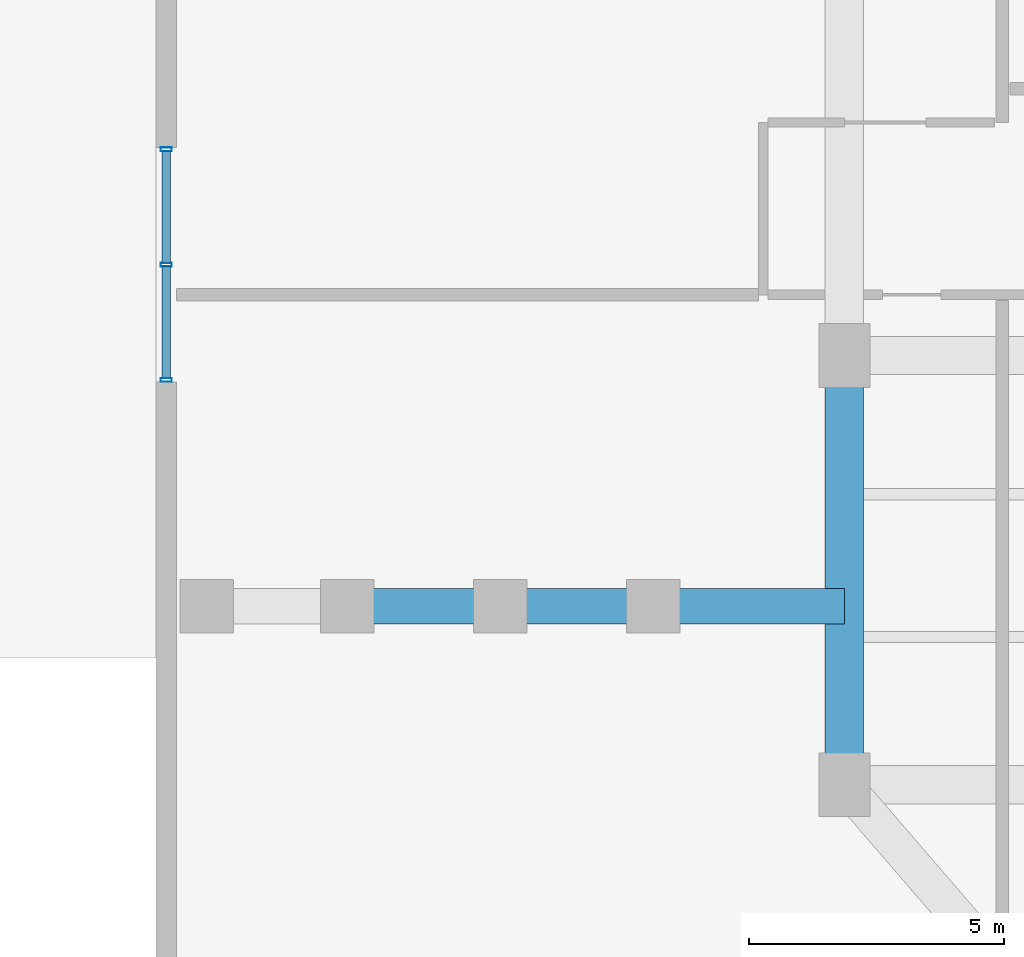
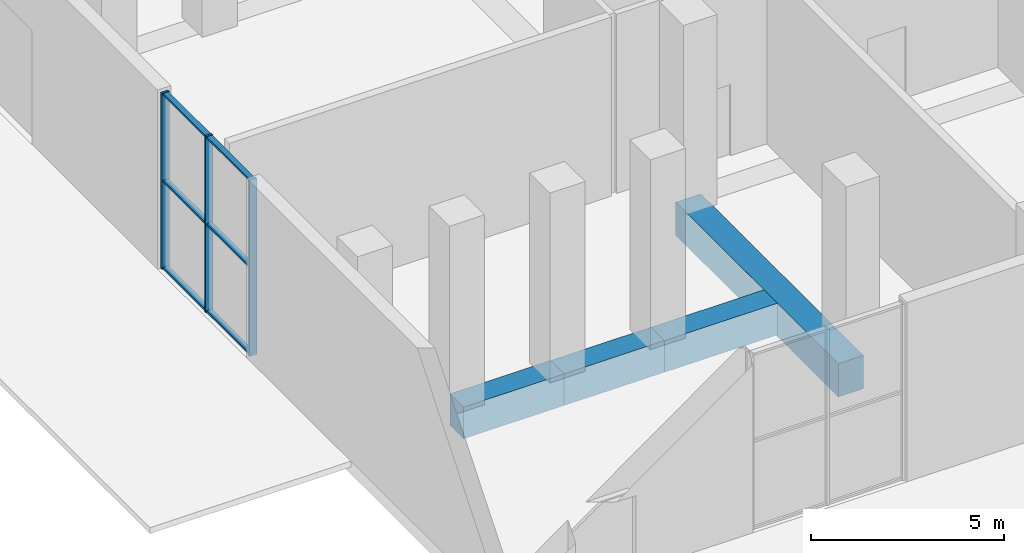
# One storey, part 6 of 25: 9 members, 4 beams, 1 element without a shape of its own.
"""IFC4 building model written with IfcOpenShell, lengths in metres."""

import ifcopenshell
import ifcopenshell.guid

model = None  # the IFC model being written
_history = None  # IfcOwnerHistory: only IFC2X3 demands one
_inside = {}  # id of a spatial element -> (the spatial element, [elements in it])
_under = {}  # id of a project, library or spatial element -> (it, [spatial elements below it])
_declared = {}  # id of a project -> (the project, [libraries it declares])
_typed = {}  # id of a type object -> (the type object, [elements of that type])
_made_of = {}  # id of a material, layer set ... -> (it, [elements and type objects made of it])


def new_model(schema):
    """Start an empty IFC model of exactly this schema.

    Asked for "IFC4X3", IfcOpenShell would pick the latest addendum, in which some entities
    have other attributes; the version numbers below select the first issue.
    IFC2X3 requires an IfcOwnerHistory on every rooted entity: one is made here for all.
    """
    global model, _history
    if schema == "IFC4X3":
        model = ifcopenshell.file(schema_version=(4, 3, 0, 0))
    else:
        model = ifcopenshell.file(schema=schema)
    _inside.clear()
    _under.clear()
    _declared.clear()
    _typed.clear()
    _made_of.clear()
    _history = None
    if model.schema == "IFC2X3":
        org = make("IfcOrganization", Name="unknown")
        user = make(
            "IfcPersonAndOrganization",
            ThePerson=make("IfcPerson", FamilyName="unknown"),
            TheOrganization=org,
        )
        app = make(
            "IfcApplication",
            ApplicationDeveloper=org,
            Version="unknown",
            ApplicationFullName="unknown",
            ApplicationIdentifier="unknown",
        )
        _history = make(
            "IfcOwnerHistory",
            OwningUser=user,
            OwningApplication=app,
            ChangeAction="ADDED",
            CreationDate=0,
        )
    return model


def make(cls, **values):
    """One entity of the class cls with the attributes given. An attribute that is None is left unset."""
    return model.create_entity(
        cls, **{name: value for name, value in values.items() if value is not None}
    )


def rooted(cls, **values):
    """An entity with a GlobalId (a new one), such as an element, a storey or a relation."""
    return make(cls, GlobalId=ifcopenshell.guid.new(), OwnerHistory=_history, **values)


def si_unit(unit_type, name, prefix=None):
    """IfcSIUnit, for example si_unit("LENGTHUNIT", "METRE", prefix="MILLI")."""
    return make("IfcSIUnit", UnitType=unit_type, Prefix=prefix, Name=name)


def assignment(units):
    """IfcUnitAssignment: the units of a project."""
    return None if units is None else make("IfcUnitAssignment", Units=units)


def point(xyz):
    """IfcCartesianPoint."""
    return None if xyz is None else make("IfcCartesianPoint", Coordinates=xyz)


def direction(xyz):
    """IfcDirection."""
    return None if xyz is None else make("IfcDirection", DirectionRatios=xyz)


def frame(location, z_axis=None, x_axis=None):
    """IfcAxis2Placement3D, a coordinate frame: its origin and axes. An axis left out is left unset."""
    return make(
        "IfcAxis2Placement3D",
        Location=point(location),
        Axis=direction(z_axis),
        RefDirection=direction(x_axis),
    )


def frame_2d(location, x_axis=None):
    """IfcAxis2Placement2D, a coordinate frame in the plane: its origin and x axis."""
    return make(
        "IfcAxis2Placement2D", Location=point(location), RefDirection=direction(x_axis)
    )


def origin():
    """The frame at (0, 0, 0) with its axes left unset."""
    return frame((0.0, 0.0, 0.0))


def origin_2d():
    """The frame at (0, 0) in the plane with its x axis left unset."""
    return frame_2d((0.0, 0.0))


def place(relative_to, where):
    """IfcLocalPlacement: puts the frame where relative to a parent placement (None: the world)."""
    return make(
        "IfcLocalPlacement", PlacementRelTo=relative_to, RelativePlacement=where
    )


def context(
    kind, dimensions, precision=None, world=None, true_north=None, identifier=None
):
    """IfcGeometricRepresentationContext, for example the 3D "Model" context."""
    return make(
        "IfcGeometricRepresentationContext",
        ContextIdentifier=identifier,
        ContextType=kind,
        CoordinateSpaceDimension=dimensions,
        Precision=precision,
        WorldCoordinateSystem=world,
        TrueNorth=true_north,
    )


def subcontext(parent, identifier, kind, view, scale=None):
    """IfcGeometricRepresentationSubContext, for example "Body" below "Model"."""
    return make(
        "IfcGeometricRepresentationSubContext",
        ContextIdentifier=identifier,
        ContextType=kind,
        ParentContext=parent,
        TargetScale=scale,
        TargetView=view,
    )


def project(units=None, contexts=None):
    """IfcProject with its units and contexts."""
    return rooted(
        "IfcProject",
        Name="project",
        RepresentationContexts=contexts,
        UnitsInContext=assignment(units),
    )


def spatial(cls, under=None, at=None, **own):
    """A site, building, storey or space (cls), placed at a placement, below another one or the project."""
    s = rooted(cls, ObjectPlacement=at, **own)
    if under is not None:
        _under.setdefault(under.id(), (under, []))[1].append(s)
    return s


def profile(cls, at=None, kind="AREA", **sizes):
    """A parametric profile (cls). Its sizes go by their IFC names, for example OverallWidth=200.0."""
    return make(cls, ProfileType=kind, Position=at, **sizes)


def rectangle(**sizes):
    """IfcRectangleProfileDef."""
    return profile("IfcRectangleProfileDef", **sizes)


def hollow_rectangle(**sizes):
    """IfcRectangleHollowProfileDef."""
    return profile("IfcRectangleHollowProfileDef", **sizes)


def extrude(swept, where, along, depth):
    """IfcExtrudedAreaSolid: the profile swept, set in the frame where, extruded along a direction by depth."""
    return make(
        "IfcExtrudedAreaSolid",
        SweptArea=swept,
        Position=where,
        ExtrudedDirection=direction(along),
        Depth=depth,
    )


def shape(context_of_items, identifier, shape_type, items):
    """IfcShapeRepresentation: the items that make up one representation, for example the "Body"."""
    return make(
        "IfcShapeRepresentation",
        ContextOfItems=context_of_items,
        RepresentationIdentifier=identifier,
        RepresentationType=shape_type,
        Items=items,
    )


def source(mapping_origin, context_of_items, identifier, shape_type, items):
    """IfcRepresentationMap: a shape defined once, which mapped items show again and again."""
    return make(
        "IfcRepresentationMap",
        MappingOrigin=mapping_origin,
        MappedRepresentation=shape(context_of_items, identifier, shape_type, items),
    )


def transform(
    local_origin,
    x_axis=None,
    y_axis=None,
    z_axis=None,
    scale=None,
    scale2=None,
    scale3=None,
    uniform=True,
):
    """IfcCartesianTransformationOperator3D, or its non-uniform kind. x_axis, y_axis, z_axis: its Axis1, 2, 3."""
    if uniform:
        return make(
            "IfcCartesianTransformationOperator3D",
            Axis1=direction(x_axis),
            Axis2=direction(y_axis),
            LocalOrigin=point(local_origin),
            Scale=scale,
            Axis3=direction(z_axis),
        )
    return make(
        "IfcCartesianTransformationOperator3DnonUniform",
        Axis1=direction(x_axis),
        Axis2=direction(y_axis),
        LocalOrigin=point(local_origin),
        Scale=scale,
        Axis3=direction(z_axis),
        Scale2=scale2,
        Scale3=scale3,
    )


def mapped(mapping_source, mapping_target):
    """IfcMappedItem: shows the shape of a source again, moved by a transform."""
    return make(
        "IfcMappedItem", MappingSource=mapping_source, MappingTarget=mapping_target
    )


def material(Name=None, Category=None):
    """IfcMaterial."""
    return make("IfcMaterial", Name=Name, Category=Category)


def layer(
    of_material, thickness, ventilated=None, Name=None, Category=None, Priority=None
):
    """IfcMaterialLayer: one layer of a wall or slab, of a material (None: an air gap)."""
    return make(
        "IfcMaterialLayer",
        Material=of_material,
        LayerThickness=thickness,
        IsVentilated=ventilated,
        Name=Name,
        Category=Category,
        Priority=Priority,
    )


def layer_set(layers, Name=None):
    """IfcMaterialLayerSet."""
    return make("IfcMaterialLayerSet", MaterialLayers=layers, LayerSetName=Name)


def material_profile(
    of_material, cross_section, Name=None, Category=None, Priority=None
):
    """IfcMaterialProfile: a cross section and its material."""
    return make(
        "IfcMaterialProfile",
        Name=Name,
        Material=of_material,
        Profile=cross_section,
        Priority=Priority,
        Category=Category,
    )


def profile_set(profiles, Name=None, composite=None):
    """IfcMaterialProfileSet."""
    return make(
        "IfcMaterialProfileSet",
        Name=Name,
        MaterialProfiles=profiles,
        CompositeProfile=composite,
    )


def made_of(thing, what):
    """Note that an element or type object is made of a material, layer set ...; save() writes the relation."""
    if what is not None:
        _made_of.setdefault(what.id(), (what, []))[1].append(thing)
    return thing


def type_object(cls, material=None, **own):
    """A type object (cls), such as IfcWallType, which elements share."""
    return made_of(rooted(cls, **own), material)


def element(
    cls,
    number,
    at=None,
    inside=None,
    cuts=None,
    type_object=None,
    material=None,
    context=None,
    identifier="Body",
    shape_type=None,
    held_by="IfcProductDefinitionShape",
    body=None,
    shapes=None,
    **own,
):
    """One element of the class cls, such as IfcWall. Its Tag is "e" and its number.

    at: its placement. inside: the storey or other place that contains it. cuts: it is an
    opening in that element (IfcRelVoidsElement). A single representation is given by context,
    identifier, shape_type and body (its items); several are given by shapes. held_by: the class
    of the entity that holds the representations. save() writes the other relations.
    """
    e = rooted(cls, Tag="e%d" % number, ObjectPlacement=at, **own)
    if body is not None:
        shapes = [shape(context, identifier, shape_type, body)]
    if shapes is not None:
        e.Representation = make(held_by, Representations=shapes)
    if inside is not None:
        _inside.setdefault(inside.id(), (inside, []))[1].append(e)
    if cuts is not None:
        rooted(
            "IfcRelVoidsElement", RelatingBuildingElement=cuts, RelatedOpeningElement=e
        )
    if type_object is not None:
        _typed.setdefault(type_object.id(), (type_object, []))[1].append(e)
    return made_of(e, material)


def aggregate(whole, parts):
    """IfcRelAggregates: a whole, such as a stair, and the parts it consists of."""
    return rooted("IfcRelAggregates", RelatingObject=whole, RelatedObjects=parts)


def save(model, path):
    """Write the relations noted so far, then the file.

    IfcRelAggregates (storeys below a building ...), IfcRelContainedInSpatialStructure (elements
    in a storey), IfcRelDefinesByType, IfcRelAssociatesMaterial and IfcRelDeclares: one each for
    every whole, place, type object, material and project.
    """
    for whole, parts in _under.values():
        aggregate(whole, parts)
    for where, things in _inside.values():
        rooted(
            "IfcRelContainedInSpatialStructure",
            RelatedElements=things,
            RelatingStructure=where,
        )
    for kind, things in _typed.values():
        rooted("IfcRelDefinesByType", RelatedObjects=things, RelatingType=kind)
    for what, things in _made_of.values():
        rooted("IfcRelAssociatesMaterial", RelatedObjects=things, RelatingMaterial=what)
    for by, libraries in _declared.values():
        rooted("IfcRelDeclares", RelatingContext=by, RelatedDefinitions=libraries)
    model.write(path)


model = new_model("IFC4")

# Units and contexts
model_context = context("Model", 3, precision=1e-05, world=origin(), true_north=direction((0.0, 1.0)))
body_context = subcontext(model_context, "Body", "Model", "MODEL_VIEW")
ifc_project = project(units=[si_unit("LENGTHUNIT", "METRE"), si_unit("AREAUNIT", "SQUARE_METRE"), si_unit("VOLUMEUNIT", "CUBIC_METRE"), si_unit("PLANEANGLEUNIT", "RADIAN"), si_unit("MASSUNIT", "GRAM", prefix="KILO"), si_unit("THERMODYNAMICTEMPERATUREUNIT", "KELVIN")], contexts=[model_context])

# Site, building, storey
site_placement = place(None, origin())
site = spatial("IfcSite", under=ifc_project, at=site_placement, CompositionType="ELEMENT")
building_placement = place(site_placement, origin())
building = spatial("IfcBuilding", under=site, at=building_placement, Name="Kosmvard Interchange Tower", CompositionType="ELEMENT")
storey_placement = place(building_placement, origin())
storey = spatial("IfcBuildingStorey", under=building, at=storey_placement, Name="L00", CompositionType="ELEMENT", Elevation=0.0)

# Beams
ifc_material_1 = material(Name="Concrete C60/75", Category="concrete")
ifc_material_profile_1 = material_profile(ifc_material_1, rectangle(XDim=0.75, YDim=1.050048828125, at=origin_2d()), Name="RCG 750x1050")
ifc_profile_set_1 = profile_set([ifc_material_profile_1], Name="Concrete C60/75")
beam_type_1 = type_object("IfcBeamType", Name="Concourse Mid-Span RC Girder 750x1050 C60/75", PredefinedType="BEAM", material=ifc_profile_set_1)
shared_shape_1 = source(origin(), body_context, "Body", "SweptSolid", [
    extrude(rectangle(XDim=0.75, YDim=1.050048828125, at=origin_2d()), origin(), (0.0, 0.0, 1.0), 8.4189453125),
])
beam_1_placement = place(storey_placement, frame((-28.5, -21.5, -0.52490234375), z_axis=(0.0, 1.0, 0.0), x_axis=(-1.0, 0.0, 0.0)))
element("IfcBeam", 1, at=beam_1_placement, inside=storey, type_object=beam_type_1, Name="BM-L00-PG-W1", PredefinedType="BEAM", context=body_context, shape_type="MappedRepresentation", body=[
    mapped(shared_shape_1, transform((0.0, 0.0, 0.0), scale=1.0)),
])
ifc_material_profile_2 = material_profile(ifc_material_1, rectangle(XDim=0.699951171875, YDim=1.0, at=origin_2d()), Name="RCG 700x1000")
ifc_profile_set_2 = profile_set([ifc_material_profile_2], Name="Concrete C60/75")
beam_type_2 = type_object("IfcBeamType", Name="Concourse Primary RC Girder 700x1000 C60/75", PredefinedType="BEAM", material=ifc_profile_set_2)
shared_shape_2 = source(origin(), body_context, "Body", "SweptSolid", [
    extrude(rectangle(XDim=0.699951171875, YDim=1.0, at=origin_2d()), origin(), (0.0, 0.0, 1.0), 3.75),
])
beam_2_placement = place(storey_placement, frame((-28.5, -18.0, -0.5), z_axis=(-1.0, 0.0, 0.0), x_axis=(0.0, -1.0, 0.0)))
element("IfcBeam", 2, at=beam_2_placement, inside=storey, type_object=beam_type_2, Name="BM-L00-PG-TCW11", PredefinedType="BEAM", context=body_context, shape_type="MappedRepresentation", body=[
    mapped(shared_shape_2, transform((0.0, 0.0, 0.0), scale=1.0)),
])
shared_shape_3 = source(origin(), body_context, "Body", "SweptSolid", [
    extrude(rectangle(XDim=0.699951171875, YDim=1.0, at=origin_2d()), origin(), (0.0, 0.0, 1.0), 3.0),
])
for number, where, z_axis, x_axis, name in (
    (3, (-32.25, -18.0, -0.5), (-1.0, 0.0, 0.0), (0.0, -1.0, 0.0), "BM-L00-PG-TCW12"),
    (4, (-35.25, -18.0, -0.5), (-1.0, 0.0, 0.0), (0.0, -1.0, 0.0), "BM-L00-PG-TCW13"),
):
    element("IfcBeam", number, at=place(storey_placement, frame(where, z_axis=z_axis, x_axis=x_axis)), inside=storey, type_object=beam_type_2, Name=name, PredefinedType="BEAM", context=body_context, shape_type="MappedRepresentation", body=[
        mapped(shared_shape_3, transform((0.0, 0.0, 0.0), scale=1.0)),
    ])

# Curtain wall, members
ifc_material_2 = material(Name="Architectural anodised aluminium", Category="aluminium")
ifc_layer = layer(ifc_material_2, 0.219970703125, Name="Architectural anodised aluminium")
ifc_layer_set = layer_set([ifc_layer], Name="Architectural anodised aluminium")
curtain_wall_type = type_object("IfcCurtainWallType", Name="CW-1 Concourse Shopfront Curtain Wall", PredefinedType="NOTDEFINED", material=ifc_layer_set)
curtain_wall_placement = place(storey_placement, origin())
curtain_wall = element("IfcCurtainWall", 5, at=curtain_wall_placement, inside=storey, type_object=curtain_wall_type, Name="L00 Shopfront Curtain Wall CW1-W1", PredefinedType="NOTDEFINED")
ifc_material_profile_3 = material_profile(ifc_material_2, hollow_rectangle(XDim=0.219970703125, YDim=0.074951171875, WallThickness=0.0048828125, at=origin_2d()), Name="CWM 220x75x5")
ifc_profile_set_3 = profile_set([ifc_material_profile_3], Name="Architectural anodised aluminium")
member_type_1 = type_object("IfcMemberType", Name="Concourse CW Mullion 220x75 Aluminium", PredefinedType="MULLION", material=ifc_profile_set_3)
shared_shape_4 = source(origin(), body_context, "Body", "SweptSolid", [
    extrude(hollow_rectangle(XDim=0.219970703125, YDim=0.074951171875, WallThickness=0.0048828125, at=origin_2d()), origin(), (0.0, 0.0, 1.0), 5.56005859375),
])
member_1_placement = place(storey_placement, frame((-41.800048828125, -13.5625, 0.0), z_axis=(0.0, 0.0, 1.0), x_axis=(-1.0, 0.0, 0.0)))
member_1 = element("IfcMember", 6, at=member_1_placement, type_object=member_type_1, Name="CW-1 mullion 1", PredefinedType="MULLION", context=body_context, shape_type="MappedRepresentation", body=[
    mapped(shared_shape_4, transform((0.0, 0.0, 0.0), scale=1.0)),
])
member_2_placement = place(storey_placement, frame((-41.800048828125, -11.300048828125, 0.0), z_axis=(0.0, 0.0, 1.0), x_axis=(-1.0, 0.0, 0.0)))
member_2 = element("IfcMember", 7, at=member_2_placement, type_object=member_type_1, Name="CW-1 mullion 2", PredefinedType="MULLION", context=body_context, shape_type="MappedRepresentation", body=[
    mapped(shared_shape_4, transform((0.0, 0.0, 0.0), scale=1.0)),
])
member_3_placement = place(storey_placement, frame((-41.800048828125, -9.03759765625, 0.0), z_axis=(0.0, 0.0, 1.0), x_axis=(-1.0, 0.0, 0.0)))
member_3 = element("IfcMember", 8, at=member_3_placement, type_object=member_type_1, Name="CW-1 mullion 3", PredefinedType="MULLION", context=body_context, shape_type="MappedRepresentation", body=[
    mapped(shared_shape_4, transform((0.0, 0.0, 0.0), scale=1.0)),
])
ifc_material_profile_4 = material_profile(ifc_material_2, hollow_rectangle(XDim=0.159912109375, YDim=0.06494140625, WallThickness=0.00390625, at=origin_2d()), Name="CWT 160x65x4")
ifc_profile_set_4 = profile_set([ifc_material_profile_4], Name="Architectural anodised aluminium")
member_type_2 = type_object("IfcMemberType", Name="Standard CW Transom 160x65 Aluminium", PredefinedType="USERDEFINED", material=ifc_profile_set_4)
shared_shape_5 = source(origin(), body_context, "Body", "SweptSolid", [
    extrude(hollow_rectangle(XDim=0.159912109375, YDim=0.06494140625, WallThickness=0.00390625, at=origin_2d()), origin(), (0.0, 0.0, 1.0), 2.1875),
])
member_4_placement = place(storey_placement, frame((-41.800048828125, -13.52490234375, 0.032470703125), z_axis=(0.0, 1.0, 0.0), x_axis=(-1.0, 0.0, 0.0)))
member_4 = element("IfcMember", 9, at=member_4_placement, type_object=member_type_2, Name="CW-1 transom 1.1", ObjectType="TRANSOM", PredefinedType="USERDEFINED", context=body_context, shape_type="MappedRepresentation", body=[
    mapped(shared_shape_5, transform((0.0, 0.0, 0.0), scale=1.0)),
])
member_5_placement = place(storey_placement, frame((-41.800048828125, -13.52490234375, 2.780029296875), z_axis=(0.0, 1.0, 0.0), x_axis=(-1.0, 0.0, 0.0)))
member_5 = element("IfcMember", 10, at=member_5_placement, type_object=member_type_2, Name="CW-1 transom 1.2", ObjectType="TRANSOM", PredefinedType="USERDEFINED", context=body_context, shape_type="MappedRepresentation", body=[
    mapped(shared_shape_5, transform((0.0, 0.0, 0.0), scale=1.0)),
])
member_6_placement = place(storey_placement, frame((-41.800048828125, -13.52490234375, 5.527587890625), z_axis=(0.0, 1.0, 0.0), x_axis=(-1.0, 0.0, 0.0)))
member_6 = element("IfcMember", 11, at=member_6_placement, type_object=member_type_2, Name="CW-1 transom 1.3", ObjectType="TRANSOM", PredefinedType="USERDEFINED", context=body_context, shape_type="MappedRepresentation", body=[
    mapped(shared_shape_5, transform((0.0, 0.0, 0.0), scale=1.0)),
])
member_7_placement = place(storey_placement, frame((-41.800048828125, -11.262451171875, 0.032470703125), z_axis=(0.0, 1.0, 0.0), x_axis=(-1.0, 0.0, 0.0)))
member_7 = element("IfcMember", 12, at=member_7_placement, type_object=member_type_2, Name="CW-1 transom 2.1", ObjectType="TRANSOM", PredefinedType="USERDEFINED", context=body_context, shape_type="MappedRepresentation", body=[
    mapped(shared_shape_5, transform((0.0, 0.0, 0.0), scale=1.0)),
])
member_8_placement = place(storey_placement, frame((-41.800048828125, -11.262451171875, 2.780029296875), z_axis=(0.0, 1.0, 0.0), x_axis=(-1.0, 0.0, 0.0)))
member_8 = element("IfcMember", 13, at=member_8_placement, type_object=member_type_2, Name="CW-1 transom 2.2", ObjectType="TRANSOM", PredefinedType="USERDEFINED", context=body_context, shape_type="MappedRepresentation", body=[
    mapped(shared_shape_5, transform((0.0, 0.0, 0.0), scale=1.0)),
])
member_9_placement = place(storey_placement, frame((-41.800048828125, -11.262451171875, 5.527587890625), z_axis=(0.0, 1.0, 0.0), x_axis=(-1.0, 0.0, 0.0)))
member_9 = element("IfcMember", 14, at=member_9_placement, type_object=member_type_2, Name="CW-1 transom 2.3", ObjectType="TRANSOM", PredefinedType="USERDEFINED", context=body_context, shape_type="MappedRepresentation", body=[
    mapped(shared_shape_5, transform((0.0, 0.0, 0.0), scale=1.0)),
])
aggregate(curtain_wall, [member_1, member_2, member_3, member_4, member_5, member_6, member_7, member_8, member_9])

save(model, "model.ifc")
